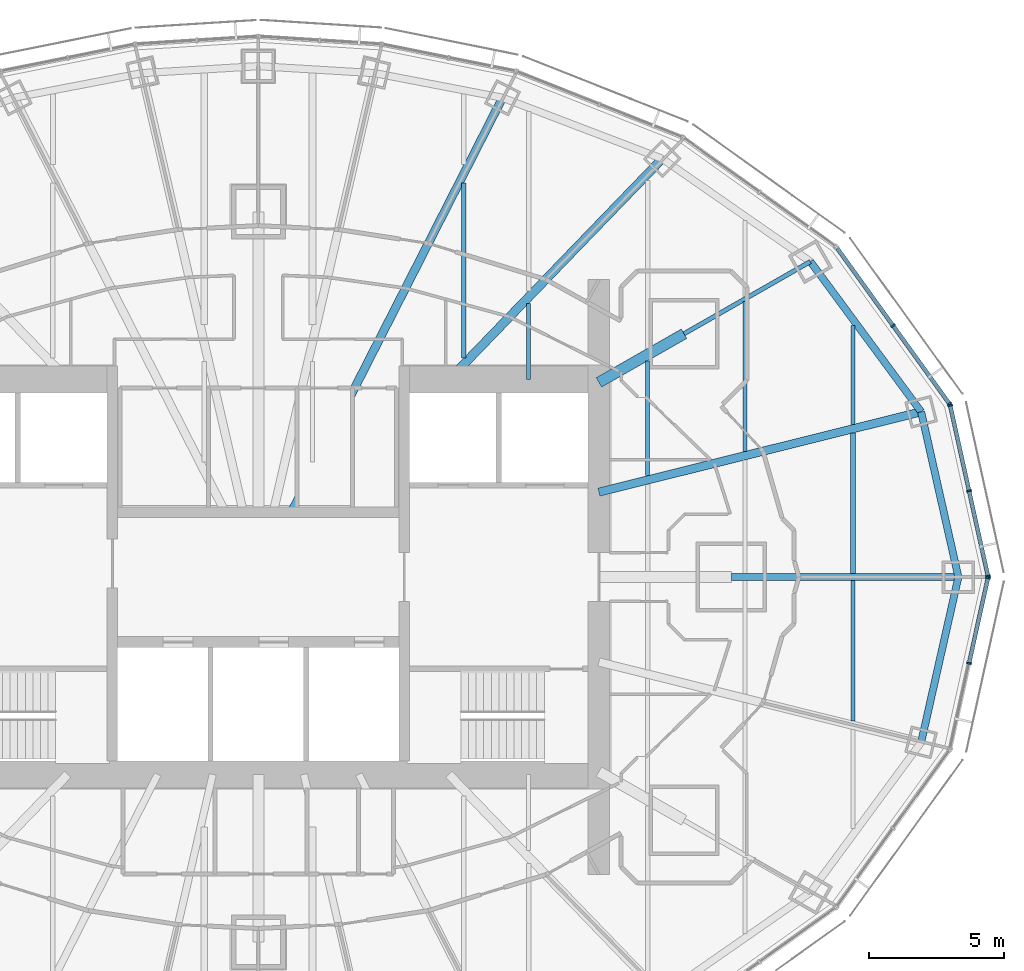
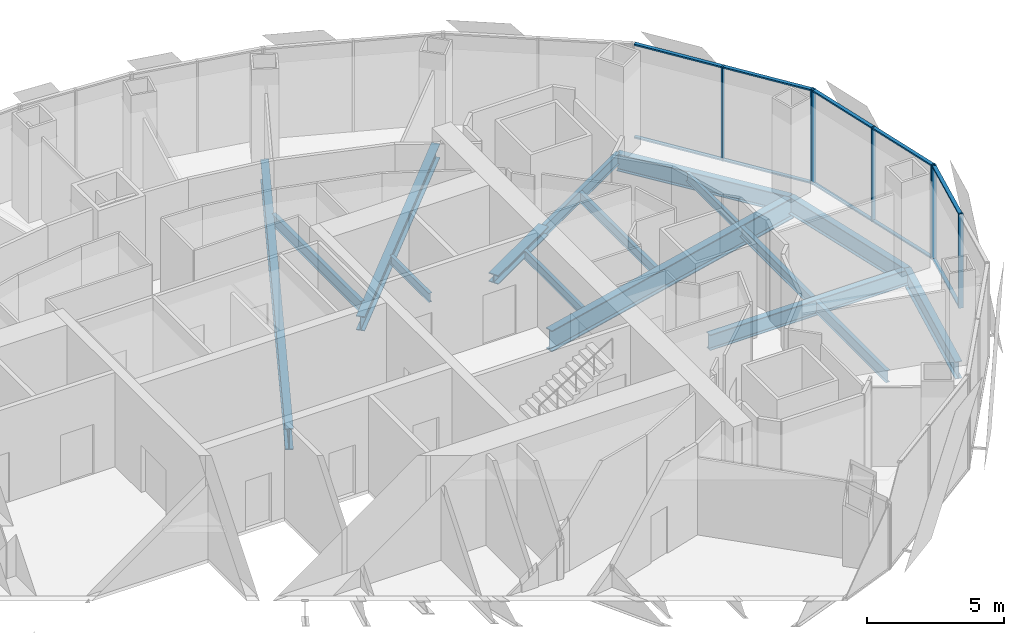
# One storey, part 7 of 19: 17 members, 16 beams, 3 elements without a shape of their own.
"""IFC4 building model written with IfcOpenShell, lengths in metres."""

from ifc_helpers import new_model, si_unit, direction, frame, origin, origin_2d, place, context, subcontext, project, spatial, rectangle, i_section, extrude, material, material_profile, profile_set, type_object, element, aggregate, save


model = new_model("IFC4")

# Units and contexts
model_context = context("Model", 3, precision=1e-05, world=origin(), true_north=direction((0.0, 1.0)))
body_context = subcontext(model_context, "Body", "Model", "MODEL_VIEW")
ifc_project = project(units=[si_unit("LENGTHUNIT", "METRE"), si_unit("AREAUNIT", "SQUARE_METRE"), si_unit("VOLUMEUNIT", "CUBIC_METRE"), si_unit("PLANEANGLEUNIT", "RADIAN"), si_unit("MASSUNIT", "GRAM", prefix="KILO")], contexts=[model_context])

# Site, building, storey
site_placement = place(None, origin())
site = spatial("IfcSite", under=ifc_project, at=site_placement, CompositionType="ELEMENT")
building_placement = place(site_placement, origin())
building = spatial("IfcBuilding", under=site, at=building_placement, Name="Lantaw Convention Tower", CompositionType="ELEMENT")
storey_placement = place(building_placement, frame((0.0, 0.0, 249.39990234375)))
storey = spatial("IfcBuildingStorey", under=building, at=storey_placement, Name="L58", CompositionType="ELEMENT", Elevation=249.39990234375)

# Beams
ifc_material_1 = material(Name="Steel ASTM A992", Category="steel")
ifc_material_profile_1 = material_profile(ifc_material_1, i_section(OverallWidth=0.2666015625, OverallDepth=0.76953125, WebThickness=0.015625, FlangeThickness=0.025390625, FilletRadius=0.0126953125, at=origin_2d()), Name="W30X132")
ifc_profile_set_1 = profile_set([ifc_material_profile_1], Name="Steel ASTM A992")
beam_type_1 = type_object("IfcBeamType", Name="Beam E W30X132", PredefinedType="SPANDREL", material=ifc_profile_set_1)
beam_1_placement = place(storey_placement, frame((25.89990234375, 0.0, -0.53466796875), z_axis=(-0.219857926596, 0.97553190215, 0.0), x_axis=(-0.97553190215, -0.219857926596, 0.0)))
element("IfcBeam", 1, at=beam_1_placement, inside=storey, type_object=beam_type_1, Name="Edge beam 1", PredefinedType="SPANDREL", context=body_context, shape_type="SweptSolid", body=[
    extrude(i_section(OverallWidth=0.2666015625, OverallDepth=0.76953125, WebThickness=0.015625, FlangeThickness=0.025390625, FilletRadius=0.0126953125, at=origin_2d()), origin(), (0.0, 0.0, 1.0), 6.267333984375),
])
beam_2_placement = place(storey_placement, frame((24.52197265625, 6.114013671875, -0.53466796875), z_axis=(-0.593639188853, 0.804731329984, 0.0), x_axis=(-0.804731329984, -0.593639188853, 0.0)))
element("IfcBeam", 2, at=beam_2_placement, inside=storey, type_object=beam_type_1, Name="Edge beam 2", PredefinedType="SPANDREL", context=body_context, shape_type="SweptSolid", body=[
    extrude(i_section(OverallWidth=0.2666015625, OverallDepth=0.76953125, WebThickness=0.015625, FlangeThickness=0.025390625, FilletRadius=0.0126953125, at=origin_2d()), origin(), (0.0, 0.0, 1.0), 6.904541015625),
])
beam_3_placement = place(storey_placement, frame((24.52197265625, -6.114013671875, -0.53466796875), z_axis=(0.219857926596, 0.97553190215, 0.0), x_axis=(-0.97553190215, 0.219857926596, 0.0)))
element("IfcBeam", 3, at=beam_3_placement, inside=storey, type_object=beam_type_1, Name="Edge beam 24", PredefinedType="SPANDREL", context=body_context, shape_type="SweptSolid", body=[
    extrude(i_section(OverallWidth=0.2666015625, OverallDepth=0.76953125, WebThickness=0.015625, FlangeThickness=0.025390625, FilletRadius=0.0126953125, at=origin_2d()), origin(), (0.0, 0.0, 1.0), 6.267333984375),
])
ifc_material_profile_2 = material_profile(ifc_material_1, i_section(OverallWidth=0.1650390625, OverallDepth=0.52587890625, WebThickness=0.0087890625, FlangeThickness=0.011474609375, FilletRadius=0.0126953125, at=origin_2d()), Name="W21X44")
ifc_profile_set_2 = profile_set([ifc_material_profile_2], Name="Steel ASTM A992")
beam_type_2 = type_object("IfcBeamType", Name="Beam G W21X44", PredefinedType="BEAM", material=ifc_profile_set_2)
beam_4_placement = place(storey_placement, frame((15.75, 9.0, -0.412841796875), z_axis=(0.868237559289, 0.496148708192, 0.0), x_axis=(-0.496148708192, 0.868237559289, 0.0)))
element("IfcBeam", 4, at=beam_4_placement, inside=storey, type_object=beam_type_2, Name="Floor girder on ray 3", PredefinedType="BEAM", context=body_context, shape_type="SweptSolid", body=[
    extrude(i_section(OverallWidth=0.1650390625, OverallDepth=0.52587890625, WebThickness=0.0087890625, FlangeThickness=0.011474609375, FilletRadius=0.0126953125, at=origin_2d()), origin(), (0.0, 0.0, 1.0), 5.38232421875),
])
ifc_material_profile_3 = material_profile(ifc_material_1, i_section(OverallWidth=0.32763671875, OverallDepth=0.64013671875, WebThickness=0.01904296875, FlangeThickness=0.033935546875, FilletRadius=0.0126953125, at=origin_2d()), Name="W24X176")
ifc_profile_set_3 = profile_set([ifc_material_profile_3], Name="Steel ASTM A992")
beam_type_3 = type_object("IfcBeamType", Name="Beam G W24X176", PredefinedType="BEAM", material=ifc_profile_set_3)
beam_5_placement = place(storey_placement, frame((7.049560546875, 7.300048828125, -0.469970703125), z_axis=(0.694657766726, 0.719340383356, 0.0), x_axis=(-0.719340383356, 0.694657766726, 0.0)))
element("IfcBeam", 5, at=beam_5_placement, inside=storey, type_object=beam_type_3, Name="Floor girder on ray 4", PredefinedType="BEAM", context=body_context, shape_type="SweptSolid", body=[
    extrude(i_section(OverallWidth=0.32763671875, OverallDepth=0.64013671875, WebThickness=0.01904296875, FlangeThickness=0.033935546875, FilletRadius=0.0126953125, at=origin_2d()), origin(), (0.0, 0.0, 1.0), 11.364990234375),
])
ifc_material_profile_4 = material_profile(ifc_material_1, i_section(OverallWidth=0.25390625, OverallDepth=0.700927734375, WebThickness=0.015380859375, FlangeThickness=0.02783203125, FilletRadius=0.01513671875, at=origin_2d()), Name="W27X129")
ifc_profile_set_4 = profile_set([ifc_material_profile_4], Name="Steel ASTM A992")
beam_type_4 = type_object("IfcBeamType", Name="Beam G W27X129", PredefinedType="BEAM", material=ifc_profile_set_4)
beam_6_placement = place(storey_placement, frame((17.5, 0.0, -0.50048828125), z_axis=(1.0, 0.0, 0.0), x_axis=(0.0, 1.0, 0.0)))
element("IfcBeam", 6, at=beam_6_placement, inside=storey, type_object=beam_type_4, Name="Floor girder on ray 1", PredefinedType="BEAM", context=body_context, shape_type="SweptSolid", body=[
    extrude(i_section(OverallWidth=0.25390625, OverallDepth=0.700927734375, WebThickness=0.015380859375, FlangeThickness=0.02783203125, FilletRadius=0.01513671875, at=origin_2d()), origin(), (0.0, 0.0, 1.0), 8.39990234375),
])
ifc_material_profile_5 = material_profile(ifc_material_1, i_section(OverallWidth=0.307373046875, OverallDepth=0.9423828125, WebThickness=0.022216796875, FlangeThickness=0.039794921875, FilletRadius=0.0126953125, at=origin_2d()), Name="W36X232")
ifc_profile_set_5 = profile_set([ifc_material_profile_5], Name="Steel ASTM A992")
beam_type_5 = type_object("IfcBeamType", Name="Beam G W36X232", PredefinedType="BEAM", material=ifc_profile_set_5)
beam_7_placement = place(storey_placement, frame((12.60009765625, 3.1416015625, -0.62109375), z_axis=(0.970296589314, 0.241918434119, 0.0), x_axis=(-0.241918434119, 0.970296589314, 0.0)))
element("IfcBeam", 7, at=beam_7_placement, inside=storey, type_object=beam_type_5, Name="Floor girder on ray 2", PredefinedType="BEAM", context=body_context, shape_type="SweptSolid", body=[
    extrude(i_section(OverallWidth=0.307373046875, OverallDepth=0.9423828125, WebThickness=0.022216796875, FlangeThickness=0.039794921875, FilletRadius=0.0126953125, at=origin_2d()), origin(), (0.0, 0.0, 1.0), 12.286865234375),
])
beam_8_placement = place(storey_placement, frame((1.222900390625, 2.39990234375, -0.62109375), z_axis=(0.453988481463, 0.891007552549, 0.0), x_axis=(-0.891007552549, 0.453988481463, 0.0)))
element("IfcBeam", 8, at=beam_8_placement, inside=storey, type_object=beam_type_5, Name="Floor girder on ray 5", PredefinedType="BEAM", context=body_context, shape_type="SweptSolid", body=[
    extrude(i_section(OverallWidth=0.307373046875, OverallDepth=0.9423828125, WebThickness=0.022216796875, FlangeThickness=0.039794921875, FilletRadius=0.0126953125, at=origin_2d()), origin(), (0.0, 0.0, 1.0), 17.20703125),
])
ifc_material_profile_6 = material_profile(ifc_material_1, i_section(OverallWidth=0.40380859375, OverallDepth=0.406494140625, WebThickness=0.027099609375, FlangeThickness=0.043701171875, FilletRadius=0.01513671875, at=origin_2d()), Name="W14X233")
ifc_profile_set_6 = profile_set([ifc_material_profile_6], Name="Steel ASTM A992")
beam_type_6 = type_object("IfcBeamType", Name="Beam GM W14X233", PredefinedType="BEAM", material=ifc_profile_set_6)
beam_9_placement = place(storey_placement, frame((12.60009765625, 7.199951171875, -0.35302734375), z_axis=(0.868230718294, 0.496160679428, 0.0), x_axis=(-0.496160679428, 0.868230718294, 0.0)))
element("IfcBeam", 9, at=beam_9_placement, inside=storey, type_object=beam_type_6, Name="Core link beam on ray 3", PredefinedType="BEAM", context=body_context, shape_type="SweptSolid", body=[
    extrude(i_section(OverallWidth=0.40380859375, OverallDepth=0.406494140625, WebThickness=0.027099609375, FlangeThickness=0.043701171875, FilletRadius=0.01513671875, at=origin_2d()), origin(), (0.0, 0.0, 1.0), 3.6279296875),
])
ifc_material_profile_7 = material_profile(ifc_material_1, i_section(OverallWidth=0.140380859375, OverallDepth=0.40380859375, WebThickness=0.007080078125, FlangeThickness=0.01123046875, FilletRadius=0.01025390625, at=origin_2d()), Name="W16X31")
ifc_profile_set_7 = profile_set([ifc_material_profile_7], Name="Steel ASTM A992")
beam_type_7 = type_object("IfcBeamType", Name="Beam J W16X31", PredefinedType="JOIST", material=ifc_profile_set_7)
beam_10_placement = place(storey_placement, frame((10.0, 7.300048828125, -0.351806640625), z_axis=(0.0, 1.0, 0.0), x_axis=(-1.0, 0.0, 0.0)))
element("IfcBeam", 10, at=beam_10_placement, inside=storey, type_object=beam_type_7, Name="Floor joist", PredefinedType="JOIST", context=body_context, shape_type="SweptSolid", body=[
    extrude(i_section(OverallWidth=0.140380859375, OverallDepth=0.40380859375, WebThickness=0.007080078125, FlangeThickness=0.01123046875, FilletRadius=0.01025390625, at=origin_2d()), origin(), (0.0, 0.0, 1.0), 2.8193359375),
])
beam_11_placement = place(storey_placement, frame((14.39990234375, 3.748779296875, -0.351806640625), z_axis=(0.0, 1.0, 0.0), x_axis=(-1.0, 0.0, 0.0)))
element("IfcBeam", 11, at=beam_11_placement, inside=storey, type_object=beam_type_7, Name="Floor joist", PredefinedType="JOIST", context=body_context, shape_type="SweptSolid", body=[
    extrude(i_section(OverallWidth=0.140380859375, OverallDepth=0.40380859375, WebThickness=0.007080078125, FlangeThickness=0.01123046875, FilletRadius=0.01025390625, at=origin_2d()), origin(), (0.0, 0.0, 1.0), 4.247314453125),
])
beam_12_placement = place(storey_placement, frame((22.0, 5.6435546875, -0.351806640625), z_axis=(0.0, 1.0, 0.0), x_axis=(-1.0, 0.0, 0.0)))
element("IfcBeam", 12, at=beam_12_placement, inside=storey, type_object=beam_type_7, Name="Floor joist", PredefinedType="JOIST", context=body_context, shape_type="SweptSolid", body=[
    extrude(i_section(OverallWidth=0.140380859375, OverallDepth=0.40380859375, WebThickness=0.007080078125, FlangeThickness=0.01123046875, FilletRadius=0.01025390625, at=origin_2d()), origin(), (0.0, 0.0, 1.0), 3.66455078125),
])
ifc_material_profile_8 = material_profile(ifc_material_1, i_section(OverallWidth=0.15234375, OverallDepth=0.449462890625, WebThickness=0.007568359375, FlangeThickness=0.0107421875, FilletRadius=0.01025390625, at=origin_2d()), Name="W18X35")
ifc_profile_set_8 = profile_set([ifc_material_profile_8], Name="Steel ASTM A992")
beam_type_8 = type_object("IfcBeamType", Name="Beam J W18X35", PredefinedType="JOIST", material=ifc_profile_set_8)
beam_13_placement = place(storey_placement, frame((18.0, 4.646240234375, -0.374755859375), z_axis=(0.0, 1.0, 0.0), x_axis=(-1.0, 0.0, 0.0)))
element("IfcBeam", 13, at=beam_13_placement, inside=storey, type_object=beam_type_8, Name="Floor joist", PredefinedType="JOIST", context=body_context, shape_type="SweptSolid", body=[
    extrude(i_section(OverallWidth=0.15234375, OverallDepth=0.449462890625, WebThickness=0.007568359375, FlangeThickness=0.0107421875, FilletRadius=0.01025390625, at=origin_2d()), origin(), (0.0, 0.0, 1.0), 5.54443359375),
])
ifc_material_profile_9 = material_profile(ifc_material_1, i_section(OverallWidth=0.1904296875, OverallDepth=0.457275390625, WebThickness=0.009033203125, FlangeThickness=0.014404296875, FilletRadius=0.01025390625, at=origin_2d()), Name="W18X50")
ifc_profile_set_9 = profile_set([ifc_material_profile_9], Name="Steel ASTM A992")
beam_type_9 = type_object("IfcBeamType", Name="Beam J W18X50", PredefinedType="JOIST", material=ifc_profile_set_9)
beam_14_placement = place(storey_placement, frame((22.0, 0.126953125, -0.37841796875), z_axis=(0.0, 1.0, 0.0), x_axis=(-1.0, 0.0, 0.0)))
element("IfcBeam", 14, at=beam_14_placement, inside=storey, type_object=beam_type_9, Name="Floor joist", PredefinedType="JOIST", context=body_context, shape_type="SweptSolid", body=[
    extrude(i_section(OverallWidth=0.1904296875, OverallDepth=0.457275390625, WebThickness=0.009033203125, FlangeThickness=0.014404296875, FilletRadius=0.01025390625, at=origin_2d()), origin(), (0.0, 0.0, 1.0), 5.199951171875),
])
ifc_material_profile_10 = material_profile(ifc_material_1, i_section(OverallWidth=0.1650390625, OverallDepth=0.52587890625, WebThickness=0.0087890625, FlangeThickness=0.011474609375, FilletRadius=0.0126953125, at=origin_2d()), Name="W21X44")
ifc_profile_set_10 = profile_set([ifc_material_profile_10], Name="Steel ASTM A992")
beam_type_10 = type_object("IfcBeamType", Name="Beam J W21X44", PredefinedType="JOIST", material=ifc_profile_set_10)
beam_15_placement = place(storey_placement, frame((7.60009765625, 8.10595703125, -0.412841796875), z_axis=(0.0, 1.0, 0.0), x_axis=(-1.0, 0.0, 0.0)))
element("IfcBeam", 15, at=beam_15_placement, inside=storey, type_object=beam_type_10, Name="Floor joist", PredefinedType="JOIST", context=body_context, shape_type="SweptSolid", body=[
    extrude(i_section(OverallWidth=0.1650390625, OverallDepth=0.52587890625, WebThickness=0.0087890625, FlangeThickness=0.011474609375, FilletRadius=0.0126953125, at=origin_2d()), origin(), (0.0, 0.0, 1.0), 6.471435546875),
])
beam_16_placement = place(storey_placement, frame((22.0, -5.326904296875, -0.412841796875), z_axis=(0.0, 1.0, 0.0), x_axis=(-1.0, 0.0, 0.0)))
element("IfcBeam", 16, at=beam_16_placement, inside=storey, type_object=beam_type_10, Name="Floor joist", PredefinedType="JOIST", context=body_context, shape_type="SweptSolid", body=[
    extrude(i_section(OverallWidth=0.1650390625, OverallDepth=0.52587890625, WebThickness=0.0087890625, FlangeThickness=0.011474609375, FilletRadius=0.0126953125, at=origin_2d()), origin(), (0.0, 0.0, 1.0), 5.199951171875),
])

# Curtain wall, members
ifc_material_2 = material(Name="Aluminium framed curtain wall", Category="aluminium")
curtain_wall_type = type_object("IfcCurtainWallType", Name="Office curtain wall high rise, pale aluminium", PredefinedType="USERDEFINED", material=ifc_material_2)
curtain_wall_1_placement = place(storey_placement, origin())
curtain_wall_1 = element("IfcCurtainWall", 17, at=curtain_wall_1_placement, inside=storey, type_object=curtain_wall_type, Name="Office curtain wall high rise, pale aluminium L58", ObjectType="UNITISED CURTAIN WALL", PredefinedType="USERDEFINED")
ifc_material_3 = material(Name="Aluminium 6063-T6", Category="aluminium")
ifc_material_profile_11 = material_profile(ifc_material_3, rectangle(XDim=0.179931640625, YDim=0.06494140625, at=origin_2d()), Name="CW-O2 mullion 65x180")
ifc_profile_set_11 = profile_set([ifc_material_profile_11], Name="Aluminium 6063-T6")
member_type_1 = type_object("IfcMemberType", Name="CW-O2 mullion 65x180", PredefinedType="MULLION", material=ifc_profile_set_11)
member_1_placement = place(storey_placement, frame((26.992919921875, 0.03173828125, -0.14990234375), z_axis=(0.0, 0.0, 1.0), x_axis=(-0.976417396437, -0.215891333626, 0.0)))
member_1 = element("IfcMember", 18, at=member_1_placement, type_object=member_type_1, Name="CW-O2 mullion 1", PredefinedType="MULLION", context=body_context, shape_type="SweptSolid", body=[
    extrude(rectangle(XDim=0.179931640625, YDim=0.06494140625, at=origin_2d()), origin(), (0.0, 0.0, 1.0), 4.199951171875),
])
member_2_placement = place(storey_placement, frame((26.294677734375, 3.190185546875, -0.14990234375), z_axis=(0.0, 0.0, 1.0), x_axis=(-0.976417396437, -0.215891333626, 0.0)))
member_2 = element("IfcMember", 19, at=member_2_placement, type_object=member_type_1, Name="CW-O2 mullion 2", PredefinedType="MULLION", context=body_context, shape_type="SweptSolid", body=[
    extrude(rectangle(XDim=0.179931640625, YDim=0.06494140625, at=origin_2d()), origin(), (0.0, 0.0, 1.0), 4.199951171875),
])
member_3_placement = place(storey_placement, frame((25.596435546875, 6.348388671875, -0.14990234375), z_axis=(0.0, 0.0, 1.0), x_axis=(-0.976417396437, -0.215891333626, 0.0)))
member_3 = element("IfcMember", 20, at=member_3_placement, type_object=member_type_1, Name="CW-O2 mullion 3", PredefinedType="MULLION", context=body_context, shape_type="SweptSolid", body=[
    extrude(rectangle(XDim=0.179931640625, YDim=0.06494140625, at=origin_2d()), origin(), (0.0, 0.0, 1.0), 4.199951171875),
])

curtain_wall_2_placement = place(storey_placement, origin())
curtain_wall_2 = element("IfcCurtainWall", 21, at=curtain_wall_2_placement, inside=storey, type_object=curtain_wall_type, Name="Office curtain wall high rise, pale aluminium L58", ObjectType="UNITISED CURTAIN WALL", PredefinedType="USERDEFINED")
member_4_placement = place(storey_placement, frame((25.5703125, 6.406494140625, -0.14990234375), z_axis=(0.0, 0.0, 1.0), x_axis=(-0.810919559405, -0.585157643865, 0.0)))
member_4 = element("IfcMember", 22, at=member_4_placement, type_object=member_type_1, Name="CW-O2 mullion 1", PredefinedType="MULLION", context=body_context, shape_type="SweptSolid", body=[
    extrude(rectangle(XDim=0.179931640625, YDim=0.06494140625, at=origin_2d()), origin(), (0.0, 0.0, 1.0), 4.199951171875),
])
member_5_placement = place(storey_placement, frame((23.483642578125, 9.298095703125, -0.14990234375), z_axis=(0.0, 0.0, 1.0), x_axis=(-0.810919559405, -0.585157643865, 0.0)))
member_5 = element("IfcMember", 23, at=member_5_placement, type_object=member_type_1, Name="CW-O2 mullion 2", PredefinedType="MULLION", context=body_context, shape_type="SweptSolid", body=[
    extrude(rectangle(XDim=0.179931640625, YDim=0.06494140625, at=origin_2d()), origin(), (0.0, 0.0, 1.0), 4.199951171875),
])

curtain_wall_3_placement = place(storey_placement, origin())
curtain_wall_3 = element("IfcCurtainWall", 24, at=curtain_wall_3_placement, inside=storey, type_object=curtain_wall_type, Name="Office curtain wall high rise, pale aluminium L58", ObjectType="UNITISED CURTAIN WALL", PredefinedType="USERDEFINED")
member_6_placement = place(storey_placement, frame((26.294677734375, -3.190185546875, -0.14990234375), z_axis=(0.0, 0.0, 1.0), x_axis=(-0.976417396437, 0.215891333626, 0.0)))
member_6 = element("IfcMember", 25, at=member_6_placement, type_object=member_type_1, Name="CW-O2 mullion 2", PredefinedType="MULLION", context=body_context, shape_type="SweptSolid", body=[
    extrude(rectangle(XDim=0.179931640625, YDim=0.06494140625, at=origin_2d()), origin(), (0.0, 0.0, 1.0), 4.199951171875),
])
member_7_placement = place(storey_placement, frame((26.992919921875, -0.03173828125, -0.14990234375), z_axis=(0.0, 0.0, 1.0), x_axis=(-0.976417396437, 0.215891333626, 0.0)))
member_7 = element("IfcMember", 26, at=member_7_placement, type_object=member_type_1, Name="CW-O2 mullion 3", PredefinedType="MULLION", context=body_context, shape_type="SweptSolid", body=[
    extrude(rectangle(XDim=0.179931640625, YDim=0.06494140625, at=origin_2d()), origin(), (0.0, 0.0, 1.0), 4.199951171875),
])

# Member
ifc_material_profile_12 = material_profile(ifc_material_3, rectangle(XDim=0.14990234375, YDim=0.06494140625, at=origin_2d()), Name="CW-O2 transom 65x150")
ifc_profile_set_12 = profile_set([ifc_material_profile_12], Name="Aluminium 6063-T6")
member_type_2 = type_object("IfcMemberType", Name="CW-O2 transom 65x150", PredefinedType="USERDEFINED", material=ifc_profile_set_12)
member_8_placement = place(storey_placement, frame((26.986083984375, 0.0634765625, -0.117431640625), z_axis=(-0.215894607042, 0.976416672661, 0.0), x_axis=(-0.976416672661, -0.215894607042, 0.0)))
member_8 = element("IfcMember", 27, at=member_8_placement, type_object=member_type_2, Name="CW-O2 transom 1.1", ObjectType="TRANSOM", PredefinedType="USERDEFINED", context=body_context, shape_type="SweptSolid", body=[
    extrude(rectangle(XDim=0.14990234375, YDim=0.06494140625, at=origin_2d()), origin(), (0.0, 0.0, 1.0), 3.169677734375),
])

member_9_placement = place(storey_placement, frame((26.986083984375, 0.0634765625, 4.017578125), z_axis=(-0.215894607042, 0.976416672661, 0.0), x_axis=(-0.976416672661, -0.215894607042, 0.0)))
member_9 = element("IfcMember", 28, at=member_9_placement, type_object=member_type_2, Name="CW-O2 transom 1.2", ObjectType="TRANSOM", PredefinedType="USERDEFINED", context=body_context, shape_type="SweptSolid", body=[
    extrude(rectangle(XDim=0.14990234375, YDim=0.06494140625, at=origin_2d()), origin(), (0.0, 0.0, 1.0), 3.169677734375),
])

member_10_placement = place(storey_placement, frame((26.28759765625, 3.2216796875, -0.117431640625), z_axis=(-0.215894607042, 0.976416672661, 0.0), x_axis=(-0.976416672661, -0.215894607042, 0.0)))
member_10 = element("IfcMember", 29, at=member_10_placement, type_object=member_type_2, Name="CW-O2 transom 2.1", ObjectType="TRANSOM", PredefinedType="USERDEFINED", context=body_context, shape_type="SweptSolid", body=[
    extrude(rectangle(XDim=0.14990234375, YDim=0.06494140625, at=origin_2d()), origin(), (0.0, 0.0, 1.0), 3.169677734375),
])

member_11_placement = place(storey_placement, frame((26.28759765625, 3.2216796875, 4.017578125), z_axis=(-0.215894607042, 0.976416672661, 0.0), x_axis=(-0.976416672661, -0.215894607042, 0.0)))
member_11 = element("IfcMember", 30, at=member_11_placement, type_object=member_type_2, Name="CW-O2 transom 2.2", ObjectType="TRANSOM", PredefinedType="USERDEFINED", context=body_context, shape_type="SweptSolid", body=[
    extrude(rectangle(XDim=0.14990234375, YDim=0.06494140625, at=origin_2d()), origin(), (0.0, 0.0, 1.0), 3.169677734375),
])

aggregate(curtain_wall_1, [member_1, member_2, member_3, member_8, member_9, member_10, member_11])

member_12_placement = place(storey_placement, frame((25.55126953125, 6.432861328125, -0.117431640625), z_axis=(-0.585169685931, 0.810910869743, 0.0), x_axis=(-0.810910869743, -0.585169685931, 0.0)))
member_12 = element("IfcMember", 31, at=member_12_placement, type_object=member_type_2, Name="CW-O2 transom 1.1", ObjectType="TRANSOM", PredefinedType="USERDEFINED", context=body_context, shape_type="SweptSolid", body=[
    extrude(rectangle(XDim=0.14990234375, YDim=0.06494140625, at=origin_2d()), origin(), (0.0, 0.0, 1.0), 3.500732421875),
])

member_13_placement = place(storey_placement, frame((25.55126953125, 6.432861328125, 4.017578125), z_axis=(-0.585169685931, 0.810910869743, 0.0), x_axis=(-0.810910869743, -0.585169685931, 0.0)))
member_13 = element("IfcMember", 32, at=member_13_placement, type_object=member_type_2, Name="CW-O2 transom 1.2", ObjectType="TRANSOM", PredefinedType="USERDEFINED", context=body_context, shape_type="SweptSolid", body=[
    extrude(rectangle(XDim=0.14990234375, YDim=0.06494140625, at=origin_2d()), origin(), (0.0, 0.0, 1.0), 3.500732421875),
])

member_14_placement = place(storey_placement, frame((23.464599609375, 9.324462890625, -0.117431640625), z_axis=(-0.585123825205, 0.810943961798, 0.0), x_axis=(-0.810943961798, -0.585123825205, 0.0)))
member_14 = element("IfcMember", 33, at=member_14_placement, type_object=member_type_2, Name="CW-O2 transom 2.1", ObjectType="TRANSOM", PredefinedType="USERDEFINED", context=body_context, shape_type="SweptSolid", body=[
    extrude(rectangle(XDim=0.14990234375, YDim=0.06494140625, at=origin_2d()), origin(), (0.0, 0.0, 1.0), 3.500732421875),
])

member_15_placement = place(storey_placement, frame((23.464599609375, 9.324462890625, 4.017578125), z_axis=(-0.585123825205, 0.810943961798, 0.0), x_axis=(-0.810943961798, -0.585123825205, 0.0)))
member_15 = element("IfcMember", 34, at=member_15_placement, type_object=member_type_2, Name="CW-O2 transom 2.2", ObjectType="TRANSOM", PredefinedType="USERDEFINED", context=body_context, shape_type="SweptSolid", body=[
    extrude(rectangle(XDim=0.14990234375, YDim=0.06494140625, at=origin_2d()), origin(), (0.0, 0.0, 1.0), 3.500732421875),
])

aggregate(curtain_wall_2, [member_4, member_5, member_12, member_13, member_14, member_15])

member_16_placement = place(storey_placement, frame((26.3017578125, -3.158447265625, -0.117431640625), z_axis=(0.215894607042, 0.976416672661, 0.0), x_axis=(-0.976416672661, 0.215894607042, 0.0)))
member_16 = element("IfcMember", 35, at=member_16_placement, type_object=member_type_2, Name="CW-O2 transom 2.1", ObjectType="TRANSOM", PredefinedType="USERDEFINED", context=body_context, shape_type="SweptSolid", body=[
    extrude(rectangle(XDim=0.14990234375, YDim=0.06494140625, at=origin_2d()), origin(), (0.0, 0.0, 1.0), 3.169677734375),
])

member_17_placement = place(storey_placement, frame((26.3017578125, -3.158447265625, 4.017578125), z_axis=(0.215894607042, 0.976416672661, 0.0), x_axis=(-0.976416672661, 0.215894607042, 0.0)))
member_17 = element("IfcMember", 36, at=member_17_placement, type_object=member_type_2, Name="CW-O2 transom 2.2", ObjectType="TRANSOM", PredefinedType="USERDEFINED", context=body_context, shape_type="SweptSolid", body=[
    extrude(rectangle(XDim=0.14990234375, YDim=0.06494140625, at=origin_2d()), origin(), (0.0, 0.0, 1.0), 3.169677734375),
])

aggregate(curtain_wall_3, [member_6, member_7, member_16, member_17])

save(model, "model.ifc")
